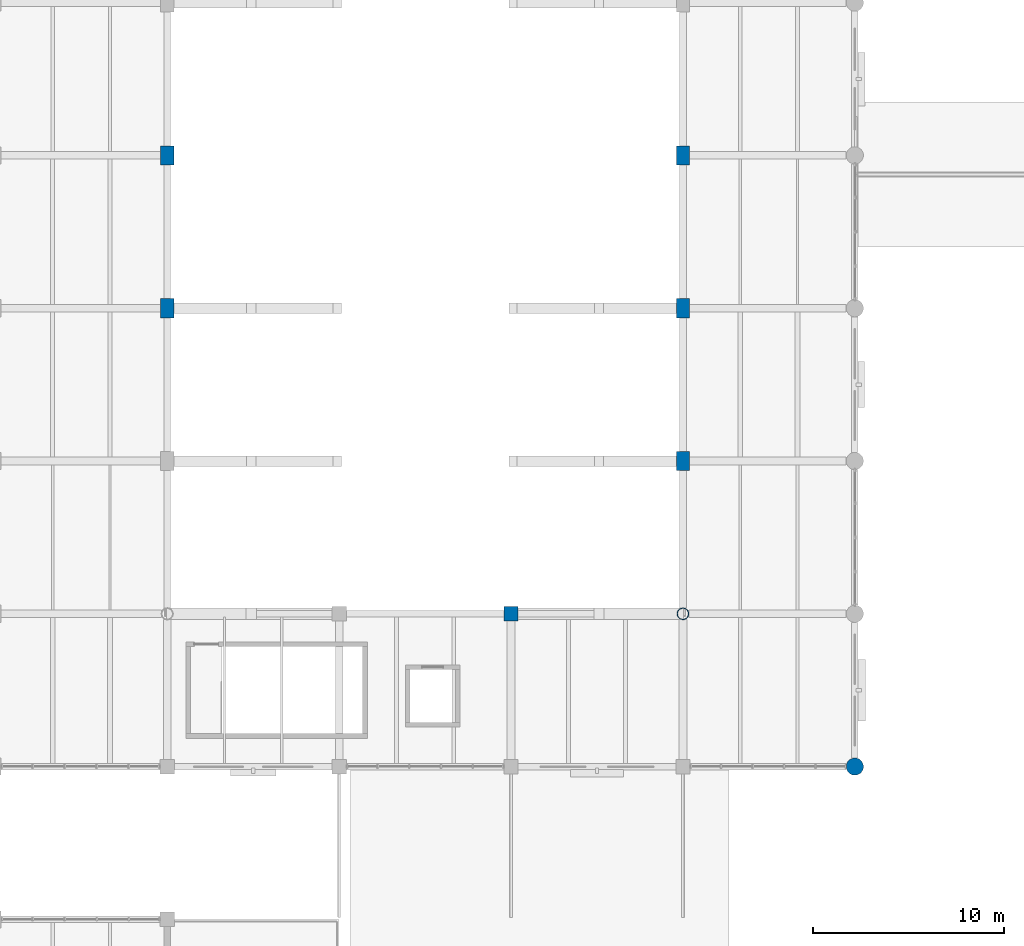
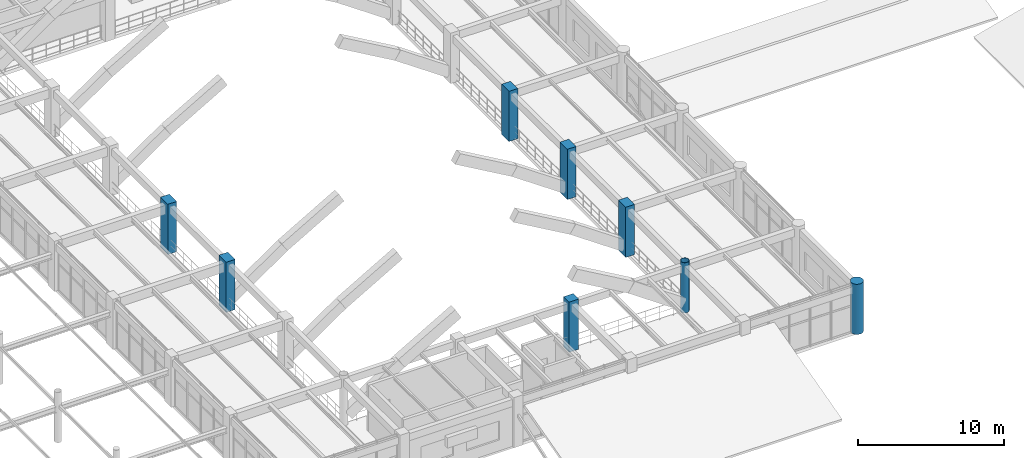
# One storey, part 4 of 148: 8 columns.
"""IFC4 building model written with IfcOpenShell, lengths in metres."""

from ifc_helpers import new_model, si_unit, derived_unit, direction, frame, origin, origin_2d, place, context, subcontext, project, spatial, rectangle, circle, hollow_circle, extrude, material, material_profile, profile_set, type_object, element, save


model = new_model("IFC4")

# Units and contexts
model_context = context("Model", 3, precision=1e-05, world=origin(), true_north=direction((0.0, 1.0)))
body_context = subcontext(model_context, "Body", "Model", "MODEL_VIEW")
ifc_project = project(units=[si_unit("LENGTHUNIT", "METRE"), si_unit("AREAUNIT", "SQUARE_METRE"), si_unit("VOLUMEUNIT", "CUBIC_METRE"), si_unit("PLANEANGLEUNIT", "RADIAN"), si_unit("MASSUNIT", "GRAM", prefix="KILO"), derived_unit("THERMALTRANSMITTANCEUNIT", [(si_unit("MASSUNIT", "GRAM", prefix="KILO"), 1), (si_unit("TIMEUNIT", "SECOND"), -3), (si_unit("THERMODYNAMICTEMPERATUREUNIT", "KELVIN"), -1)])], contexts=[model_context])

# Site, building, storey
site_placement = place(None, origin())
site = spatial("IfcSite", under=ifc_project, at=site_placement, CompositionType="ELEMENT")
building_placement = place(site_placement, origin())
building = spatial("IfcBuilding", under=site, at=building_placement, Name="Zhenchuan Archway Interchange", CompositionType="ELEMENT")
storey_placement = place(building_placement, frame((0.0, 0.0, 10.199951171875)))
storey = spatial("IfcBuildingStorey", under=building, at=storey_placement, Name="L02", CompositionType="ELEMENT", Elevation=10.199951171875)

# Columns
ifc_material_1 = material(Name="Concrete C50", Category="concrete")
ifc_material_profile_1 = material_profile(ifc_material_1, rectangle(XDim=0.699951171875, YDim=1.0, at=origin_2d()), Name="RC 700x1000")
ifc_profile_set_1 = profile_set([ifc_material_profile_1], Name="Concrete C50")
column_type_1 = type_object("IfcColumnType", Name="COL_RC_700x1000_T", PredefinedType="COLUMN", material=ifc_profile_set_1)
for number, where, z_axis, x_axis, name in (
    (1, (36.0, 48.0, 0.0), (0.0, 0.0, 1.0), (1.0, 0.0, 0.0), "Column 5/G (L02)"),
    (2, (36.0, 56.0, 0.0), (0.0, 0.0, 1.0), (1.0, 0.0, 0.0), "Column 5/H (L02)"),
    (3, (63.0, 40.0, 0.0), (0.0, 0.0, 1.0), (1.0, 0.0, 0.0), "Column 8/F (L02)"),
    (4, (63.0, 48.0, 0.0), (0.0, 0.0, 1.0), (1.0, 0.0, 0.0), "Column 8/G (L02)"),
    (5, (63.0, 56.0, 0.0), (0.0, 0.0, 1.0), (1.0, 0.0, 0.0), "Column 8/H (L02)"),
):
    element("IfcColumn", number, at=place(storey_placement, frame(where, z_axis=z_axis, x_axis=x_axis)), inside=storey, type_object=column_type_1, Name=name, PredefinedType="COLUMN", context=body_context, shape_type="SweptSolid", body=[
        extrude(rectangle(XDim=0.699951171875, YDim=1.0, at=origin_2d()), origin(), (0.0, 0.0, 1.0), 4.199951171875),
    ])
ifc_material_2 = material(Name="Concrete C40", Category="concrete")
ifc_material_profile_2 = material_profile(ifc_material_2, rectangle(XDim=0.75, YDim=0.75, at=origin_2d()), Name="RC 750x750")
ifc_profile_set_2 = profile_set([ifc_material_profile_2], Name="Concrete C40")
column_type_2 = type_object("IfcColumnType", Name="COL_RC_750", PredefinedType="COLUMN", material=ifc_profile_set_2)
column_1_placement = place(storey_placement, frame((54.0, 32.0, 0.0), z_axis=(0.0, 0.0, 1.0), x_axis=(1.0, 0.0, 0.0)))
element("IfcColumn", 6, at=column_1_placement, inside=storey, type_object=column_type_2, Name="Column 7/E (L02)", PredefinedType="COLUMN", context=body_context, shape_type="SweptSolid", body=[
    extrude(rectangle(XDim=0.75, YDim=0.75, at=origin_2d()), origin(), (0.0, 0.0, 1.0), 4.199951171875),
])
ifc_material_profile_3 = material_profile(ifc_material_2, circle(Radius=0.449951171875, at=origin_2d()), Name="RC D900")
ifc_profile_set_3 = profile_set([ifc_material_profile_3], Name="Concrete C40")
column_type_3 = type_object("IfcColumnType", Name="COL_RC_D900", PredefinedType="COLUMN", material=ifc_profile_set_3)
column_2_placement = place(storey_placement, frame((72.0, 24.0, 0.0), z_axis=(0.0, 0.0, 1.0), x_axis=(1.0, 0.0, 0.0)))
element("IfcColumn", 7, at=column_2_placement, inside=storey, type_object=column_type_3, Name="Column 9/D (L02)", PredefinedType="COLUMN", context=body_context, shape_type="SweptSolid", body=[
    extrude(circle(Radius=0.449951171875, at=origin_2d()), origin(), (0.0, 0.0, 1.0), 4.199951171875),
])
ifc_material_3 = material(Name="Steel Q390", Category="steel")
ifc_material_profile_4 = material_profile(ifc_material_3, hollow_circle(Radius=0.304931640625, WallThickness=0.02001953125, at=origin_2d()), Name="CHS 610x20")
ifc_profile_set_4 = profile_set([ifc_material_profile_4], Name="Steel Q390")
column_type_4 = type_object("IfcColumnType", Name="COL_STL_CHS610", PredefinedType="COLUMN", material=ifc_profile_set_4)
column_3_placement = place(storey_placement, frame((63.0, 32.0, 0.0), z_axis=(0.0, 0.0, 1.0), x_axis=(1.0, 0.0, 0.0)))
element("IfcColumn", 8, at=column_3_placement, inside=storey, type_object=column_type_4, Name="Column 8/E (L02)", PredefinedType="COLUMN", context=body_context, shape_type="SweptSolid", body=[
    extrude(hollow_circle(Radius=0.304931640625, WallThickness=0.02001953125, at=origin_2d()), origin(), (0.0, 0.0, 1.0), 4.199951171875),
])

save(model, "model.ifc")
